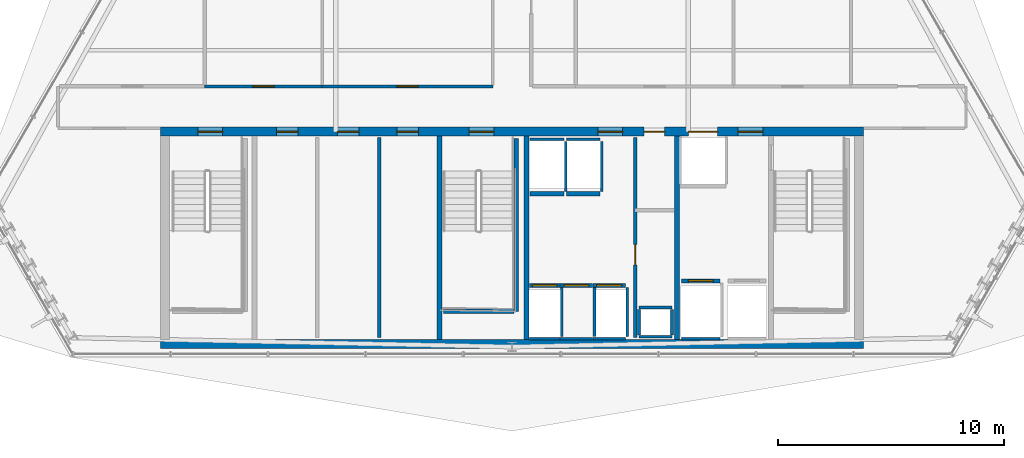
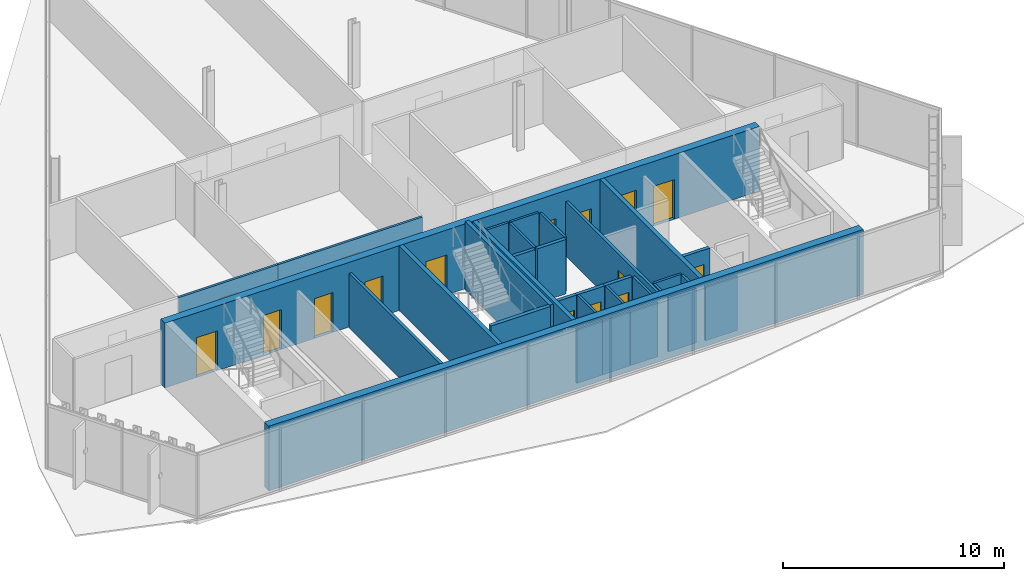
# One storey, part 29 of 37: 32 walls, 16 doors, 16 openings.
"""IFC4 building model written with IfcOpenShell, lengths in metres."""

from ifc_helpers import new_model, si_unit, direction, frame, frame_2d, origin, place, context, subcontext, project, spatial, rectangle, extrude, material, layer, layer_set, type_object, element, fill, save


model = new_model("IFC4")

# Units and contexts
model_context = context("Model", 3, precision=1e-05, world=origin(), true_north=direction((0.0, 1.0)))
body_context = subcontext(model_context, "Body", "Model", "MODEL_VIEW")
ifc_project = project(units=[si_unit("LENGTHUNIT", "METRE"), si_unit("AREAUNIT", "SQUARE_METRE"), si_unit("VOLUMEUNIT", "CUBIC_METRE"), si_unit("PLANEANGLEUNIT", "RADIAN"), si_unit("MASSUNIT", "GRAM", prefix="KILO")], contexts=[model_context])

# Site, building, storey
site_placement = place(None, origin())
site = spatial("IfcSite", under=ifc_project, at=site_placement, CompositionType="ELEMENT")
building_placement = place(site_placement, origin())
building = spatial("IfcBuilding", under=site, at=building_placement, Name="Ndaravel Arena Tower", CompositionType="ELEMENT")
storey_placement = place(building_placement, frame((0.0, 0.0, 218.0)))
storey = spatial("IfcBuildingStorey", under=building, at=storey_placement, Name="L52", CompositionType="ELEMENT", Elevation=218.0)

# Wall, opening, door
ifc_material_1 = material(Name="Gypsum", Category="gypsum")
ifc_layer_1 = layer(ifc_material_1, 0.14990234375)
ifc_layer_set_1 = layer_set([ifc_layer_1], Name="Gypsum")
wall_type_1 = type_object("IfcWallType", Name="WALL-COMP-150", PredefinedType="PARTITIONING", material=ifc_layer_set_1)
wall_1_placement = place(storey_placement, frame((47.449951171875, 5.89990234375, 0.0), z_axis=(0.0, 0.0, 1.0), x_axis=(0.0, 1.0, 0.0)))
wall_1 = element("IfcWall", 1, at=wall_1_placement, inside=storey, type_object=wall_type_1, Name="L52 Core Riser Bay Partition", PredefinedType="PARTITIONING", context=body_context, shape_type="SweptSolid", body=[
    extrude(rectangle(XDim=8.85009765625, YDim=0.14990234375, at=frame_2d((4.425048828125, 0.0))), origin(), (0.0, 0.0, 1.0), 3.010498046875),
])
opening_1_placement = place(wall_1_placement, frame((3.199951171875, 0.0, 0.0)))
opening_1 = element("IfcOpeningElement", 2, at=opening_1_placement, cuts=wall_1, Name="Opening RD-01", PredefinedType="OPENING", context=body_context, shape_type="SweptSolid", body=[
    extrude(rectangle(XDim=0.89990234375, YDim=2.10009765625, at=frame_2d((0.449951171875, 1.050048828125))), frame((0.0, 0.074951171875, 0.0), z_axis=(0.0, -1.0, 0.0), x_axis=(1.0, 0.0, 0.0)), (0.0, 0.0, 1.0), 0.14990234375),
])
ifc_material_2 = material(Name="Steel S355", Category="steel")
door_type_1 = type_object("IfcDoorType", Name="DT-08-RISER-900", OperationType="SINGLE_SWING_LEFT", PredefinedType="DOOR", material=ifc_material_2)
door_1_placement = place(opening_1_placement, origin())
door_1 = element("IfcDoor", 3, at=door_1_placement, inside=storey, type_object=door_type_1, Name="L52 Sub-Metering Closet Door", OperationType="SINGLE_SWING_LEFT", OverallHeight=2.10009765625, OverallWidth=0.89990234375, PredefinedType="DOOR", context=body_context, shape_type="SweptSolid", body=[
    extrude(rectangle(XDim=0.89990234375, YDim=2.10009765625, at=frame_2d((0.449951171875, 1.050048828125))), frame((0.0, 0.02490234375, 0.0), z_axis=(0.0, -1.0, 0.0), x_axis=(1.0, 0.0, 0.0)), (0.0, 0.0, 1.0), 0.050048828125),
])
fill(opening_1, door_1)

# Walls
wall_2_placement = place(storey_placement, frame((36.1201171875, 5.89990234375, 0.0), z_axis=(0.0, 0.0, 1.0), x_axis=(0.0, 1.0, 0.0)))
element("IfcWall", 4, at=wall_2_placement, inside=storey, type_object=wall_type_1, Name="L52 High-Zone Core Divider 2", PredefinedType="PARTITIONING", context=body_context, shape_type="SweptSolid", body=[
    extrude(rectangle(XDim=8.85009765625, YDim=0.14990234375, at=frame_2d((4.425048828125, 0.0))), origin(), (0.0, 0.0, 1.0), 3.010498046875),
])
ifc_material_3 = material(Name="Concrete C50/60", Category="concrete")
ifc_layer_2 = layer(ifc_material_3, 0.219970703125)
ifc_layer_set_2 = layer_set([ifc_layer_2], Name="Concrete C50/60")
wall_type_2 = type_object("IfcWallType", Name="WALL-CORE-220", PredefinedType="SOLIDWALL", material=ifc_layer_set_2)
for number, where, z_axis, x_axis, name in (
    (5, (38.800048828125, 5.800048828125, 0.0), (0.0, 0.0, 1.0), (0.0, 1.0, 0.0), "L52 Core Web Shear Wall 2"),
    (6, (42.64990234375, 5.800048828125, 0.0), (0.0, 0.0, 1.0), (0.0, 1.0, 0.0), "L52 Core Web Shear Wall 3"),
    (7, (49.300048828125, 5.800048828125, 0.0), (0.0, 0.0, 1.0), (0.0, 1.0, 0.0), "L52 Core Web Shear Wall 4"),
):
    element("IfcWall", number, at=place(storey_placement, frame(where, z_axis=z_axis, x_axis=x_axis)), inside=storey, type_object=wall_type_2, Name=name, PredefinedType="SOLIDWALL", context=body_context, shape_type="SweptSolid", body=[
        extrude(rectangle(XDim=9.0, YDim=0.219970703125, at=frame_2d((4.5, 0.0))), origin(), (0.0, 0.0, 1.0), 3.580078125),
    ])

# Wall, openings, doors
ifc_material_4 = material(Name="Concrete C50/60", Category="concrete")
ifc_layer_3 = layer(ifc_material_4, 0.39990234375)
ifc_layer_set_3 = layer_set([ifc_layer_3], Name="Concrete C50/60")
wall_type_3 = type_object("IfcWallType", Name="WALL-CORE-400", PredefinedType="SOLIDWALL", material=ifc_layer_set_3)
wall_3_placement = place(storey_placement, frame((26.449951171875, 15.0, 0.0), z_axis=(0.0, 0.0, 1.0), x_axis=(1.0, 0.0, 0.0)))
wall_3 = element("IfcWall", 8, at=wall_3_placement, inside=storey, type_object=wall_type_3, Name="L52 Core North Shear Wall", PredefinedType="SOLIDWALL", context=body_context, shape_type="SweptSolid", body=[
    extrude(rectangle(XDim=31.10009765625, YDim=0.39990234375, at=frame_2d((15.550048828125, 0.0))), origin(), (0.0, 0.0, 1.0), 3.580078125),
])
opening_2_placement = place(wall_3_placement, frame((1.64990234375, 0.0, 0.0)))
opening_2 = element("IfcOpeningElement", 9, at=opening_2_placement, cuts=wall_3, Name="Opening FD-01", PredefinedType="OPENING", context=body_context, shape_type="SweptSolid", body=[
    extrude(rectangle(XDim=1.10009765625, YDim=2.199951171875, at=frame_2d((0.550048828125, 1.10009765625))), frame((0.0, 0.199951171875, 0.0), z_axis=(0.0, -1.0, 0.0), x_axis=(1.0, 0.0, 0.0)), (0.0, 0.0, 1.0), 0.39990234375),
])
opening_3_placement = place(wall_3_placement, frame((13.64990234375, 0.0, 0.0)))
opening_3 = element("IfcOpeningElement", 10, at=opening_3_placement, cuts=wall_3, Name="Opening FD-01", PredefinedType="OPENING", context=body_context, shape_type="SweptSolid", body=[
    extrude(rectangle(XDim=1.10009765625, YDim=2.199951171875, at=frame_2d((0.550048828125, 1.10009765625))), frame((0.0, 0.199951171875, 0.0), z_axis=(0.0, -1.0, 0.0), x_axis=(1.0, 0.0, 0.0)), (0.0, 0.0, 1.0), 0.39990234375),
])
opening_4_placement = place(wall_3_placement, frame((25.550048828125, 0.0, 0.0)))
opening_4 = element("IfcOpeningElement", 11, at=opening_4_placement, cuts=wall_3, Name="Opening FD-01", PredefinedType="OPENING", context=body_context, shape_type="SweptSolid", body=[
    extrude(rectangle(XDim=1.10009765625, YDim=2.199951171875, at=frame_2d((0.550048828125, 1.10009765625))), frame((0.0, 0.199951171875, 0.0), z_axis=(0.0, -1.0, 0.0), x_axis=(1.0, 0.0, 0.0)), (0.0, 0.0, 1.0), 0.39990234375),
])
opening_5_placement = place(wall_3_placement, frame((19.35009765625, 0.0, 0.0)))
opening_5 = element("IfcOpeningElement", 12, at=opening_5_placement, cuts=wall_3, Name="Opening FD-01", PredefinedType="OPENING", context=body_context, shape_type="SweptSolid", body=[
    extrude(rectangle(XDim=1.10009765625, YDim=2.199951171875, at=frame_2d((0.550048828125, 1.10009765625))), frame((0.0, 0.199951171875, 0.0), z_axis=(0.0, -1.0, 0.0), x_axis=(1.0, 0.0, 0.0)), (0.0, 0.0, 1.0), 0.39990234375),
])
opening_6_placement = place(wall_3_placement, frame((21.39990234375, 0.0, 0.0)))
opening_6 = element("IfcOpeningElement", 13, at=opening_6_placement, cuts=wall_3, Name="Opening RD-01", PredefinedType="OPENING", context=body_context, shape_type="SweptSolid", body=[
    extrude(rectangle(XDim=0.89990234375, YDim=2.10009765625, at=frame_2d((0.449951171875, 1.050048828125))), frame((0.0, 0.199951171875, 0.0), z_axis=(0.0, -1.0, 0.0), x_axis=(1.0, 0.0, 0.0)), (0.0, 0.0, 1.0), 0.39990234375),
])
opening_7_placement = place(wall_3_placement, frame((5.139892578125, 0.0, 0.0)))
opening_7 = element("IfcOpeningElement", 14, at=opening_7_placement, cuts=wall_3, Name="Opening FD-03", PredefinedType="OPENING", context=body_context, shape_type="SweptSolid", body=[
    extrude(rectangle(XDim=0.949951171875, YDim=2.199951171875, at=frame_2d((0.47509765625, 1.10009765625))), frame((0.0, 0.199951171875, 0.0), z_axis=(0.0, -1.0, 0.0), x_axis=(1.0, 0.0, 0.0)), (0.0, 0.0, 1.0), 0.39990234375),
])
opening_8_placement = place(wall_3_placement, frame((7.824951171875, 0.0, 0.0)))
opening_8 = element("IfcOpeningElement", 15, at=opening_8_placement, cuts=wall_3, Name="Opening FD-03", PredefinedType="OPENING", context=body_context, shape_type="SweptSolid", body=[
    extrude(rectangle(XDim=0.949951171875, YDim=2.199951171875, at=frame_2d((0.47509765625, 1.10009765625))), frame((0.0, 0.199951171875, 0.0), z_axis=(0.0, -1.0, 0.0), x_axis=(1.0, 0.0, 0.0)), (0.0, 0.0, 1.0), 0.39990234375),
])
opening_9_placement = place(wall_3_placement, frame((10.4599609375, 0.0, 0.0)))
opening_9 = element("IfcOpeningElement", 16, at=opening_9_placement, cuts=wall_3, Name="Opening FD-03", PredefinedType="OPENING", context=body_context, shape_type="SweptSolid", body=[
    extrude(rectangle(XDim=0.949951171875, YDim=2.199951171875, at=frame_2d((0.47509765625, 1.10009765625))), frame((0.0, 0.199951171875, 0.0), z_axis=(0.0, -1.0, 0.0), x_axis=(1.0, 0.0, 0.0)), (0.0, 0.0, 1.0), 0.39990234375),
])
opening_10_placement = place(wall_3_placement, frame((23.35009765625, 0.0, 0.0)))
opening_10 = element("IfcOpeningElement", 17, at=opening_10_placement, cuts=wall_3, Name="Opening LD-02", PredefinedType="OPENING", context=body_context, shape_type="SweptSolid", body=[
    extrude(rectangle(XDim=1.300048828125, YDim=2.300048828125, at=frame_2d((0.64990234375, 1.14990234375))), frame((0.0, 0.199951171875, 0.0), z_axis=(0.0, -1.0, 0.0), x_axis=(1.0, 0.0, 0.0)), (0.0, 0.0, 1.0), 0.39990234375),
])
ifc_material_5 = material(Name="Steel S355", Category="steel")
door_type_2 = type_object("IfcDoorType", Name="DT-01-STAIR-1100", OperationType="SINGLE_SWING_LEFT", PredefinedType="DOOR", material=ifc_material_5)
door_2_placement = place(opening_2_placement, origin())
door_2 = element("IfcDoor", 18, at=door_2_placement, inside=storey, type_object=door_type_2, Name="L52 Exit Stair ST-1 Door", OperationType="SINGLE_SWING_LEFT", OverallHeight=2.199951171875, OverallWidth=1.10009765625, PredefinedType="DOOR", context=body_context, shape_type="SweptSolid", body=[
    extrude(rectangle(XDim=1.10009765625, YDim=2.199951171875, at=frame_2d((0.550048828125, 1.10009765625))), frame((0.0, 0.02490234375, 0.0), z_axis=(0.0, -1.0, 0.0), x_axis=(1.0, 0.0, 0.0)), (0.0, 0.0, 1.0), 0.050048828125),
])
fill(opening_2, door_2)
door_3_placement = place(opening_3_placement, origin())
door_3 = element("IfcDoor", 19, at=door_3_placement, inside=storey, type_object=door_type_2, Name="L52 Exit Stair ST-2 Door", OperationType="SINGLE_SWING_RIGHT", OverallHeight=2.199951171875, OverallWidth=1.10009765625, PredefinedType="DOOR", context=body_context, shape_type="SweptSolid", body=[
    extrude(rectangle(XDim=1.10009765625, YDim=2.199951171875, at=frame_2d((0.550048828125, 1.10009765625))), frame((0.0, 0.02490234375, 0.0), z_axis=(0.0, -1.0, 0.0), x_axis=(1.0, 0.0, 0.0)), (0.0, 0.0, 1.0), 0.050048828125),
])
fill(opening_3, door_3)
door_4_placement = place(opening_4_placement, origin())
door_4 = element("IfcDoor", 20, at=door_4_placement, inside=storey, type_object=door_type_2, Name="L52 Firefighting Lift Lobby Door", OperationType="SINGLE_SWING_RIGHT", OverallHeight=2.199951171875, OverallWidth=1.10009765625, PredefinedType="DOOR", context=body_context, shape_type="SweptSolid", body=[
    extrude(rectangle(XDim=1.10009765625, YDim=2.199951171875, at=frame_2d((0.550048828125, 1.10009765625))), frame((0.0, 0.02490234375, 0.0), z_axis=(0.0, -1.0, 0.0), x_axis=(1.0, 0.0, 0.0)), (0.0, 0.0, 1.0), 0.050048828125),
])
fill(opening_4, door_4)
door_5_placement = place(opening_5_placement, origin())
door_5 = element("IfcDoor", 21, at=door_5_placement, inside=storey, type_object=door_type_2, Name="L52 Express Lift Lobby Entry Door", OperationType="SINGLE_SWING_LEFT", OverallHeight=2.199951171875, OverallWidth=1.10009765625, PredefinedType="DOOR", context=body_context, shape_type="SweptSolid", body=[
    extrude(rectangle(XDim=1.10009765625, YDim=2.199951171875, at=frame_2d((0.550048828125, 1.10009765625))), frame((0.0, 0.02490234375, 0.0), z_axis=(0.0, -1.0, 0.0), x_axis=(1.0, 0.0, 0.0)), (0.0, 0.0, 1.0), 0.050048828125),
])
fill(opening_5, door_5)
ifc_material_6 = material(Name="Steel S355", Category="steel")
door_type_3 = type_object("IfcDoorType", Name="DT-07-SVLIFT-1300", OperationType="DOUBLE_DOOR_SLIDING", PredefinedType="DOOR", material=ifc_material_6)
door_6_placement = place(opening_10_placement, origin())
door_6 = element("IfcDoor", 22, at=door_6_placement, inside=storey, type_object=door_type_3, Name="L52 Lift SVL-1 Sliding Landing Door", OperationType="DOUBLE_DOOR_SLIDING", OverallHeight=2.300048828125, OverallWidth=1.300048828125, PredefinedType="DOOR", context=body_context, shape_type="SweptSolid", body=[
    extrude(rectangle(XDim=1.300048828125, YDim=2.300048828125, at=frame_2d((0.64990234375, 1.14990234375))), frame((0.0, 0.02490234375, 0.0), z_axis=(0.0, -1.0, 0.0), x_axis=(1.0, 0.0, 0.0)), (0.0, 0.0, 1.0), 0.050048828125),
])
fill(opening_10, door_6)
door_7_placement = place(opening_6_placement, origin())
door_7 = element("IfcDoor", 23, at=door_7_placement, inside=storey, type_object=door_type_1, Name="L52 Core Service Riser North Door", OperationType="SINGLE_SWING_LEFT", OverallHeight=2.10009765625, OverallWidth=0.89990234375, PredefinedType="DOOR", context=body_context, shape_type="SweptSolid", body=[
    extrude(rectangle(XDim=0.89990234375, YDim=2.10009765625, at=frame_2d((0.449951171875, 1.050048828125))), frame((0.0, 0.02490234375, 0.0), z_axis=(0.0, -1.0, 0.0), x_axis=(1.0, 0.0, 0.0)), (0.0, 0.0, 1.0), 0.050048828125),
])
fill(opening_6, door_7)
ifc_material_7 = material(Name="Steel S355", Category="steel")
door_type_4 = type_object("IfcDoorType", Name="DT-11-CORE-950", OperationType="SINGLE_SWING_LEFT", PredefinedType="DOOR", material=ifc_material_7)
door_8_placement = place(opening_7_placement, origin())
door_8 = element("IfcDoor", 24, at=door_8_placement, inside=storey, type_object=door_type_4, Name="L52 High-Zone Reclaimed Core Room 1 Door", OperationType="SINGLE_SWING_LEFT", OverallHeight=2.199951171875, OverallWidth=0.949951171875, PredefinedType="DOOR", context=body_context, shape_type="SweptSolid", body=[
    extrude(rectangle(XDim=0.949951171875, YDim=2.199951171875, at=frame_2d((0.47509765625, 1.10009765625))), frame((0.0, 0.02490234375, 0.0), z_axis=(0.0, -1.0, 0.0), x_axis=(1.0, 0.0, 0.0)), (0.0, 0.0, 1.0), 0.050048828125),
])
fill(opening_7, door_8)
door_9_placement = place(opening_8_placement, origin())
door_9 = element("IfcDoor", 25, at=door_9_placement, inside=storey, type_object=door_type_4, Name="L52 High-Zone Reclaimed Core Room 2 Door", OperationType="SINGLE_SWING_RIGHT", OverallHeight=2.199951171875, OverallWidth=0.949951171875, PredefinedType="DOOR", context=body_context, shape_type="SweptSolid", body=[
    extrude(rectangle(XDim=0.949951171875, YDim=2.199951171875, at=frame_2d((0.47509765625, 1.10009765625))), frame((0.0, 0.02490234375, 0.0), z_axis=(0.0, -1.0, 0.0), x_axis=(1.0, 0.0, 0.0)), (0.0, 0.0, 1.0), 0.050048828125),
])
fill(opening_8, door_9)
door_10_placement = place(opening_9_placement, origin())
door_10 = element("IfcDoor", 26, at=door_10_placement, inside=storey, type_object=door_type_4, Name="L52 High-Zone Reclaimed Core Room 3 Door", OperationType="SINGLE_SWING_LEFT", OverallHeight=2.199951171875, OverallWidth=0.949951171875, PredefinedType="DOOR", context=body_context, shape_type="SweptSolid", body=[
    extrude(rectangle(XDim=0.949951171875, YDim=2.199951171875, at=frame_2d((0.47509765625, 1.10009765625))), frame((0.0, 0.02490234375, 0.0), z_axis=(0.0, -1.0, 0.0), x_axis=(1.0, 0.0, 0.0)), (0.0, 0.0, 1.0), 0.050048828125),
])
fill(opening_9, door_10)

# Wall
wall_4_placement = place(storey_placement, frame((26.449951171875, 5.60009765625, 0.0), z_axis=(0.0, 0.0, 1.0), x_axis=(1.0, 0.0, 0.0)))
element("IfcWall", 27, at=wall_4_placement, inside=storey, type_object=wall_type_3, Name="L52 Core South Shear Wall", PredefinedType="SOLIDWALL", context=body_context, shape_type="SweptSolid", body=[
    extrude(rectangle(XDim=31.10009765625, YDim=0.39990234375, at=frame_2d((15.550048828125, 0.0))), origin(), (0.0, 0.0, 1.0), 3.580078125),
])

# Wall, opening, door
ifc_material_8 = material(Name="Gypsum", Category="gypsum")
ifc_layer_4 = layer(ifc_material_8, 0.125)
ifc_layer_set_4 = layer_set([ifc_layer_4], Name="Gypsum")
wall_type_4 = type_object("IfcWallType", Name="WALL-PART-125", PredefinedType="PARTITIONING", material=ifc_layer_set_4)
wall_5_placement = place(storey_placement, frame((28.39990234375, 17.0, 0.0), z_axis=(0.0, 0.0, 1.0), x_axis=(1.0, 0.0, 0.0)))
wall_5 = element("IfcWall", 28, at=wall_5_placement, inside=storey, type_object=wall_type_4, Name="L52 Interior Partition 006", PredefinedType="PARTITIONING", context=body_context, shape_type="SweptSolid", body=[
    extrude(rectangle(XDim=5.2001953125, YDim=0.125, at=frame_2d((2.60009765625, 0.0))), origin(), (0.0, 0.0, 1.0), 3.010498046875),
])
opening_11_placement = place(wall_5_placement, frame((2.125, 0.0, 0.0)))
opening_11 = element("IfcOpeningElement", 29, at=opening_11_placement, cuts=wall_5, Name="Opening ID-01", PredefinedType="OPENING", context=body_context, shape_type="SweptSolid", body=[
    extrude(rectangle(XDim=0.949951171875, YDim=2.199951171875, at=frame_2d((0.47509765625, 1.10009765625))), frame((0.0, 0.0625, 0.0), z_axis=(0.0, -1.0, 0.0), x_axis=(1.0, 0.0, 0.0)), (0.0, 0.0, 1.0), 0.125),
])
ifc_material_9 = material(Name="Timber", Category="wood")
door_type_5 = type_object("IfcDoorType", Name="DT-03-OFFICE-950", OperationType="SINGLE_SWING_LEFT", PredefinedType="DOOR", material=ifc_material_9)
door_11_placement = place(opening_11_placement, origin())
door_11 = element("IfcDoor", 30, at=door_11_placement, inside=storey, type_object=door_type_5, Name="L52 Quiet Study Room 3 Door", OperationType="SINGLE_SWING_RIGHT", OverallHeight=2.199951171875, OverallWidth=0.949951171875, PredefinedType="DOOR", context=body_context, shape_type="SweptSolid", body=[
    extrude(rectangle(XDim=0.949951171875, YDim=2.199951171875, at=frame_2d((0.47509765625, 1.10009765625))), frame((0.0, 0.02490234375, 0.0), z_axis=(0.0, -1.0, 0.0), x_axis=(1.0, 0.0, 0.0)), (0.0, 0.0, 1.0), 0.050048828125),
])
fill(opening_11, door_11)

wall_6_placement = place(storey_placement, frame((33.60009765625, 17.0, 0.0), z_axis=(0.0, 0.0, 1.0), x_axis=(1.0, 0.0, 0.0)))
wall_6 = element("IfcWall", 31, at=wall_6_placement, inside=storey, type_object=wall_type_4, Name="L52 Interior Partition 007", PredefinedType="PARTITIONING", context=body_context, shape_type="SweptSolid", body=[
    extrude(rectangle(XDim=7.5498046875, YDim=0.125, at=frame_2d((3.77490234375, 0.0))), origin(), (0.0, 0.0, 1.0), 3.010498046875),
])
opening_12_placement = place(wall_6_placement, frame((3.300048828125, 0.0, 0.0)))
opening_12 = element("IfcOpeningElement", 32, at=opening_12_placement, cuts=wall_6, Name="Opening ID-01", PredefinedType="OPENING", context=body_context, shape_type="SweptSolid", body=[
    extrude(rectangle(XDim=0.949951171875, YDim=2.199951171875, at=frame_2d((0.47509765625, 1.10009765625))), frame((0.0, 0.0625, 0.0), z_axis=(0.0, -1.0, 0.0), x_axis=(1.0, 0.0, 0.0)), (0.0, 0.0, 1.0), 0.125),
])
door_12_placement = place(opening_12_placement, origin())
door_12 = element("IfcDoor", 33, at=door_12_placement, inside=storey, type_object=door_type_5, Name="L52 Staff Wellness Clinic Door", OperationType="SINGLE_SWING_LEFT", OverallHeight=2.199951171875, OverallWidth=0.949951171875, PredefinedType="DOOR", context=body_context, shape_type="SweptSolid", body=[
    extrude(rectangle(XDim=0.949951171875, YDim=2.199951171875, at=frame_2d((0.47509765625, 1.10009765625))), frame((0.0, 0.02490234375, 0.0), z_axis=(0.0, -1.0, 0.0), x_axis=(1.0, 0.0, 0.0)), (0.0, 0.0, 1.0), 0.050048828125),
])
fill(opening_12, door_12)

# Walls
ifc_material_10 = material(Name="Concrete C40/50", Category="concrete")
ifc_layer_5 = layer(ifc_material_10, 0.1201171875)
ifc_layer_set_5 = layer_set([ifc_layer_5], Name="Concrete C40/50")
wall_type_5 = type_object("IfcWallType", Name="WALL-SHAFT-120", PredefinedType="SOLIDWALL", material=ifc_layer_set_5)
for number, where, z_axis, x_axis, name in (
    (34, (47.6201171875, 5.919921875, 0.0), (0.0, 0.0, 1.0), (1.0, 0.0, 0.0), "L52 MEP Riser Shaft S Wall"),
    (35, (47.6201171875, 7.219970703125, 0.0), (0.0, 0.0, 1.0), (1.0, 0.0, 0.0), "L52 MEP Riser Shaft N Wall"),
):
    element("IfcWall", number, at=place(storey_placement, frame(where, z_axis=z_axis, x_axis=x_axis)), inside=storey, type_object=wall_type_5, Name=name, PredefinedType="SOLIDWALL", context=body_context, shape_type="SweptSolid", body=[
        extrude(rectangle(XDim=1.4599609375, YDim=0.1201171875, at=frame_2d((0.72998046875, 0.0))), origin(), (0.0, 0.0, 1.0), 3.010498046875),
    ])
for number, where, z_axis, x_axis, name in (
    (36, (47.6201171875, 6.0, 0.0), (0.0, 0.0, 1.0), (0.0, 1.0, 0.0), "L52 MEP Riser Shaft W Wall"),
    (37, (49.080078125, 6.0, 0.0), (0.0, 0.0, 1.0), (0.0, 1.0, 0.0), "L52 MEP Riser Shaft E Wall"),
):
    element("IfcWall", number, at=place(storey_placement, frame(where, z_axis=z_axis, x_axis=x_axis)), inside=storey, type_object=wall_type_5, Name=name, PredefinedType="SOLIDWALL", context=body_context, shape_type="SweptSolid", body=[
        extrude(rectangle(XDim=1.139892578125, YDim=0.1201171875, at=frame_2d((0.56982421875, 0.0))), origin(), (0.0, 0.0, 1.0), 3.010498046875),
    ])
wall_7_placement = place(storey_placement, frame((42.780029296875, 5.840087890625, 0.0), z_axis=(0.0, 0.0, 1.0), x_axis=(1.0, 0.0, 0.0)))
element("IfcWall", 38, at=wall_7_placement, inside=storey, type_object=wall_type_5, Name="L52 PL-H1 Shaft Rear Wall", PredefinedType="SOLIDWALL", context=body_context, shape_type="SweptSolid", body=[
    extrude(rectangle(XDim=1.340087890625, YDim=0.1201171875, at=frame_2d((0.669921875, 0.0))), origin(), (0.0, 0.0, 1.0), 3.010498046875),
])
wall_8_placement = place(storey_placement, frame((44.199951171875, 5.929931640625, 0.0), z_axis=(0.0, 0.0, 1.0), x_axis=(0.0, 1.0, 0.0)))
element("IfcWall", 39, at=wall_8_placement, inside=storey, type_object=wall_type_5, Name="L52 PL-H1 Shaft Side R Wall", PredefinedType="SOLIDWALL", context=body_context, shape_type="SweptSolid", body=[
    extrude(rectangle(XDim=2.18017578125, YDim=0.1201171875, at=frame_2d((1.090087890625, 0.0))), origin(), (0.0, 0.0, 1.0), 3.010498046875),
])
wall_9_placement = place(storey_placement, frame((44.1298828125, 5.840087890625, 0.0), z_axis=(0.0, 0.0, 1.0), x_axis=(1.0, 0.0, 0.0)))
element("IfcWall", 40, at=wall_9_placement, inside=storey, type_object=wall_type_5, Name="L52 PL-H2 Shaft Rear Wall", PredefinedType="SOLIDWALL", context=body_context, shape_type="SweptSolid", body=[
    extrude(rectangle(XDim=1.440185546875, YDim=0.1201171875, at=frame_2d((0.72021484375, 0.0))), origin(), (0.0, 0.0, 1.0), 3.010498046875),
])
wall_10_placement = place(storey_placement, frame((45.64990234375, 5.929931640625, 0.0), z_axis=(0.0, 0.0, 1.0), x_axis=(0.0, 1.0, 0.0)))
element("IfcWall", 41, at=wall_10_placement, inside=storey, type_object=wall_type_5, Name="L52 PL-H2 Shaft Side R Wall", PredefinedType="SOLIDWALL", context=body_context, shape_type="SweptSolid", body=[
    extrude(rectangle(XDim=2.18017578125, YDim=0.1201171875, at=frame_2d((1.090087890625, 0.0))), origin(), (0.0, 0.0, 1.0), 3.010498046875),
])
wall_11_placement = place(storey_placement, frame((45.580078125, 5.840087890625, 0.0), z_axis=(0.0, 0.0, 1.0), x_axis=(1.0, 0.0, 0.0)))
element("IfcWall", 42, at=wall_11_placement, inside=storey, type_object=wall_type_5, Name="L52 PL-H3 Shaft Rear Wall", PredefinedType="SOLIDWALL", context=body_context, shape_type="SweptSolid", body=[
    extrude(rectangle(XDim=1.43994140625, YDim=0.1201171875, at=frame_2d((0.719970703125, 0.0))), origin(), (0.0, 0.0, 1.0), 3.010498046875),
])
wall_12_placement = place(storey_placement, frame((47.10009765625, 5.929931640625, 0.0), z_axis=(0.0, 0.0, 1.0), x_axis=(0.0, 1.0, 0.0)))
element("IfcWall", 43, at=wall_12_placement, inside=storey, type_object=wall_type_5, Name="L52 PL-H3 Shaft Side R Wall", PredefinedType="SOLIDWALL", context=body_context, shape_type="SweptSolid", body=[
    extrude(rectangle(XDim=2.18017578125, YDim=0.1201171875, at=frame_2d((1.090087890625, 0.0))), origin(), (0.0, 0.0, 1.0), 3.010498046875),
])
wall_13_placement = place(storey_placement, frame((42.804931640625, 14.659912109375, 0.0), z_axis=(0.0, 0.0, 1.0), x_axis=(1.0, 0.0, 0.0)))
element("IfcWall", 44, at=wall_13_placement, inside=storey, type_object=wall_type_5, Name="L52 PL-OBS1 Shaft Rear Wall", PredefinedType="SOLIDWALL", context=body_context, shape_type="SweptSolid", body=[
    extrude(rectangle(XDim=1.489990234375, YDim=0.1201171875, at=frame_2d((0.7451171875, 0.0))), origin(), (0.0, 0.0, 1.0), 3.010498046875),
])
wall_14_placement = place(storey_placement, frame((44.375, 12.340087890625, 0.0), z_axis=(0.0, 0.0, 1.0), x_axis=(0.0, 1.0, 0.0)))
element("IfcWall", 45, at=wall_14_placement, inside=storey, type_object=wall_type_5, Name="L52 PL-OBS1 Shaft Side R Wall", PredefinedType="SOLIDWALL", context=body_context, shape_type="SweptSolid", body=[
    extrude(rectangle(XDim=2.22998046875, YDim=0.1201171875, at=frame_2d((1.114990234375, 0.0))), origin(), (0.0, 0.0, 1.0), 3.010498046875),
])
wall_15_placement = place(storey_placement, frame((44.405029296875, 14.659912109375, 0.0), z_axis=(0.0, 0.0, 1.0), x_axis=(1.0, 0.0, 0.0)))
element("IfcWall", 46, at=wall_15_placement, inside=storey, type_object=wall_type_5, Name="L52 PL-OBS2 Shaft Rear Wall", PredefinedType="SOLIDWALL", context=body_context, shape_type="SweptSolid", body=[
    extrude(rectangle(XDim=1.489990234375, YDim=0.1201171875, at=frame_2d((0.7451171875, 0.0))), origin(), (0.0, 0.0, 1.0), 3.010498046875),
])
wall_16_placement = place(storey_placement, frame((45.97509765625, 12.340087890625, 0.0), z_axis=(0.0, 0.0, 1.0), x_axis=(0.0, 1.0, 0.0)))
element("IfcWall", 47, at=wall_16_placement, inside=storey, type_object=wall_type_5, Name="L52 PL-OBS2 Shaft Side R Wall", PredefinedType="SOLIDWALL", context=body_context, shape_type="SweptSolid", body=[
    extrude(rectangle(XDim=2.22998046875, YDim=0.1201171875, at=frame_2d((1.114990234375, 0.0))), origin(), (0.0, 0.0, 1.0), 3.010498046875),
])
wall_17_placement = place(storey_placement, frame((49.5048828125, 5.840087890625, 0.0), z_axis=(0.0, 0.0, 1.0), x_axis=(1.0, 0.0, 0.0)))
element("IfcWall", 48, at=wall_17_placement, inside=storey, type_object=wall_type_5, Name="L52 FFL-1 Shaft Rear Wall", PredefinedType="SOLIDWALL", context=body_context, shape_type="SweptSolid", body=[
    extrude(rectangle(XDim=1.690185546875, YDim=0.1201171875, at=frame_2d((0.84521484375, 0.0))), origin(), (0.0, 0.0, 1.0), 3.010498046875),
])
ifc_material_11 = material(Name="Concrete C40/50", Category="concrete")
ifc_layer_6 = layer(ifc_material_11, 0.199951171875)
ifc_layer_set_6 = layer_set([ifc_layer_6], Name="Concrete C40/50")
wall_type_6 = type_object("IfcWallType", Name="WALL-SHAFT-200", PredefinedType="SOLIDWALL", material=ifc_layer_set_6)
wall_18_placement = place(storey_placement, frame((42.18994140625, 14.699951171875, 0.0), z_axis=(0.0, 0.0, 1.0), x_axis=(0.0, -1.0, 0.0)))
element("IfcWall", 49, at=wall_18_placement, inside=storey, type_object=wall_type_6, Name="L52 ST-2 Structural Shaft Wall Right", PredefinedType="SOLIDWALL", context=body_context, shape_type="SweptSolid", body=[
    extrude(rectangle(XDim=7.64990234375, YDim=0.199951171875, at=frame_2d((3.824951171875, 0.0))), origin(), (0.0, 0.0, 1.0), 3.800048828125),
])
wall_19_placement = place(storey_placement, frame((38.969970703125, 7.050048828125, 0.0), z_axis=(0.0, 0.0, 1.0), x_axis=(1.0, 0.0, 0.0)))
element("IfcWall", 50, at=wall_19_placement, inside=storey, type_object=wall_type_6, Name="L52 ST-2 Structural Shaft Wall Far", PredefinedType="SOLIDWALL", context=body_context, shape_type="SweptSolid", body=[
    extrude(rectangle(XDim=3.114990234375, YDim=0.199951171875, at=frame_2d((1.5576171875, 0.0))), origin(), (0.0, 0.0, 1.0), 3.800048828125),
])

# Wall, opening, door
wall_20_placement = place(storey_placement, frame((42.780029296875, 8.199951171875, 0.0), z_axis=(0.0, 0.0, 1.0), x_axis=(1.0, 0.0, 0.0)))
wall_20 = element("IfcWall", 51, at=wall_20_placement, inside=storey, type_object=wall_type_6, Name="L52 PL-H1 Shaft Landing Wall", PredefinedType="SOLIDWALL", context=body_context, shape_type="SweptSolid", body=[
    extrude(rectangle(XDim=1.340087890625, YDim=0.179931640625, at=frame_2d((0.669921875, 0.0))), origin(), (0.0, 0.0, 1.0), 3.010498046875),
])
opening_13_placement = place(wall_20_placement, frame((0.1201171875, 0.0, 0.0)))
opening_13 = element("IfcOpeningElement", 52, at=opening_13_placement, cuts=wall_20, Name="Opening LD-01", PredefinedType="OPENING", context=body_context, shape_type="SweptSolid", body=[
    extrude(rectangle(XDim=1.10009765625, YDim=2.199951171875, at=frame_2d((0.550048828125, 1.10009765625))), frame((0.0, 0.08984375, 0.0), z_axis=(0.0, -1.0, 0.0), x_axis=(1.0, 0.0, 0.0)), (0.0, 0.0, 1.0), 0.179931640625),
])
ifc_material_12 = material(Name="Steel S355", Category="steel")
door_type_6 = type_object("IfcDoorType", Name="DT-06-LIFT-1100", OperationType="SLIDING_TO_LEFT", PredefinedType="DOOR", material=ifc_material_12)
door_13_placement = place(opening_13_placement, origin())
door_13 = element("IfcDoor", 53, at=door_13_placement, inside=storey, type_object=door_type_6, Name="L52 Lift PL-H1 Sliding Landing Door", OperationType="SLIDING_TO_LEFT", OverallHeight=2.199951171875, OverallWidth=1.10009765625, PredefinedType="DOOR", context=body_context, shape_type="SweptSolid", body=[
    extrude(rectangle(XDim=1.10009765625, YDim=2.199951171875, at=frame_2d((0.550048828125, 1.10009765625))), frame((0.0, 0.02490234375, 0.0), z_axis=(0.0, -1.0, 0.0), x_axis=(1.0, 0.0, 0.0)), (0.0, 0.0, 1.0), 0.050048828125),
])
fill(opening_13, door_13)

wall_21_placement = place(storey_placement, frame((44.1298828125, 8.199951171875, 0.0), z_axis=(0.0, 0.0, 1.0), x_axis=(1.0, 0.0, 0.0)))
wall_21 = element("IfcWall", 54, at=wall_21_placement, inside=storey, type_object=wall_type_6, Name="L52 PL-H2 Shaft Landing Wall", PredefinedType="SOLIDWALL", context=body_context, shape_type="SweptSolid", body=[
    extrude(rectangle(XDim=1.440185546875, YDim=0.179931640625, at=frame_2d((0.72021484375, 0.0))), origin(), (0.0, 0.0, 1.0), 3.010498046875),
])
opening_14_placement = place(wall_21_placement, frame((0.169921875, 0.0, 0.0)))
opening_14 = element("IfcOpeningElement", 55, at=opening_14_placement, cuts=wall_21, Name="Opening LD-01", PredefinedType="OPENING", context=body_context, shape_type="SweptSolid", body=[
    extrude(rectangle(XDim=1.10009765625, YDim=2.199951171875, at=frame_2d((0.550048828125, 1.10009765625))), frame((0.0, 0.08984375, 0.0), z_axis=(0.0, -1.0, 0.0), x_axis=(1.0, 0.0, 0.0)), (0.0, 0.0, 1.0), 0.179931640625),
])
door_14_placement = place(opening_14_placement, origin())
door_14 = element("IfcDoor", 56, at=door_14_placement, inside=storey, type_object=door_type_6, Name="L52 Lift PL-H2 Sliding Landing Door", OperationType="SLIDING_TO_LEFT", OverallHeight=2.199951171875, OverallWidth=1.10009765625, PredefinedType="DOOR", context=body_context, shape_type="SweptSolid", body=[
    extrude(rectangle(XDim=1.10009765625, YDim=2.199951171875, at=frame_2d((0.550048828125, 1.10009765625))), frame((0.0, 0.02490234375, 0.0), z_axis=(0.0, -1.0, 0.0), x_axis=(1.0, 0.0, 0.0)), (0.0, 0.0, 1.0), 0.050048828125),
])
fill(opening_14, door_14)

wall_22_placement = place(storey_placement, frame((45.580078125, 8.199951171875, 0.0), z_axis=(0.0, 0.0, 1.0), x_axis=(1.0, 0.0, 0.0)))
wall_22 = element("IfcWall", 57, at=wall_22_placement, inside=storey, type_object=wall_type_6, Name="L52 PL-H3 Shaft Landing Wall", PredefinedType="SOLIDWALL", context=body_context, shape_type="SweptSolid", body=[
    extrude(rectangle(XDim=1.43994140625, YDim=0.179931640625, at=frame_2d((0.719970703125, 0.0))), origin(), (0.0, 0.0, 1.0), 3.010498046875),
])
opening_15_placement = place(wall_22_placement, frame((0.169921875, 0.0, 0.0)))
opening_15 = element("IfcOpeningElement", 58, at=opening_15_placement, cuts=wall_22, Name="Opening LD-01", PredefinedType="OPENING", context=body_context, shape_type="SweptSolid", body=[
    extrude(rectangle(XDim=1.10009765625, YDim=2.199951171875, at=frame_2d((0.550048828125, 1.10009765625))), frame((0.0, 0.08984375, 0.0), z_axis=(0.0, -1.0, 0.0), x_axis=(1.0, 0.0, 0.0)), (0.0, 0.0, 1.0), 0.179931640625),
])
door_15_placement = place(opening_15_placement, origin())
door_15 = element("IfcDoor", 59, at=door_15_placement, inside=storey, type_object=door_type_6, Name="L52 Lift PL-H3 Sliding Landing Door", OperationType="SLIDING_TO_LEFT", OverallHeight=2.199951171875, OverallWidth=1.10009765625, PredefinedType="DOOR", context=body_context, shape_type="SweptSolid", body=[
    extrude(rectangle(XDim=1.10009765625, YDim=2.199951171875, at=frame_2d((0.550048828125, 1.10009765625))), frame((0.0, 0.02490234375, 0.0), z_axis=(0.0, -1.0, 0.0), x_axis=(1.0, 0.0, 0.0)), (0.0, 0.0, 1.0), 0.050048828125),
])
fill(opening_15, door_15)

# Walls
for number, where, z_axis, x_axis, name in (
    (60, (42.804931640625, 12.25, 0.0), (0.0, 0.0, 1.0), (1.0, 0.0, 0.0), "L52 PL-OBS1 Shaft Landing Wall"),
    (61, (44.405029296875, 12.25, 0.0), (0.0, 0.0, 1.0), (1.0, 0.0, 0.0), "L52 PL-OBS2 Shaft Landing Wall"),
):
    element("IfcWall", number, at=place(storey_placement, frame(where, z_axis=z_axis, x_axis=x_axis)), inside=storey, type_object=wall_type_6, Name=name, PredefinedType="SOLIDWALL", context=body_context, shape_type="SweptSolid", body=[
        extrude(rectangle(XDim=1.489990234375, YDim=0.179931640625, at=frame_2d((0.7451171875, 0.0))), origin(), (0.0, 0.0, 1.0), 3.010498046875),
    ])

# Wall, opening, door
wall_23_placement = place(storey_placement, frame((49.5048828125, 8.39990234375, 0.0), z_axis=(0.0, 0.0, 1.0), x_axis=(1.0, 0.0, 0.0)))
wall_23 = element("IfcWall", 62, at=wall_23_placement, inside=storey, type_object=wall_type_6, Name="L52 FFL-1 Shaft Landing Wall", PredefinedType="SOLIDWALL", context=body_context, shape_type="SweptSolid", body=[
    extrude(rectangle(XDim=1.690185546875, YDim=0.179931640625, at=frame_2d((0.84521484375, 0.0))), origin(), (0.0, 0.0, 1.0), 3.010498046875),
])
opening_16_placement = place(wall_23_placement, frame((0.294921875, 0.0, 0.0)))
opening_16 = element("IfcOpeningElement", 63, at=opening_16_placement, cuts=wall_23, Name="Opening LD-01", PredefinedType="OPENING", context=body_context, shape_type="SweptSolid", body=[
    extrude(rectangle(XDim=1.10009765625, YDim=2.199951171875, at=frame_2d((0.550048828125, 1.10009765625))), frame((0.0, 0.08984375, 0.0), z_axis=(0.0, -1.0, 0.0), x_axis=(1.0, 0.0, 0.0)), (0.0, 0.0, 1.0), 0.179931640625),
])
door_16_placement = place(opening_16_placement, origin())
door_16 = element("IfcDoor", 64, at=door_16_placement, inside=storey, type_object=door_type_6, Name="L52 Lift FFL-1 Sliding Landing Door", OperationType="SLIDING_TO_LEFT", OverallHeight=2.199951171875, OverallWidth=1.10009765625, PredefinedType="DOOR", context=body_context, shape_type="SweptSolid", body=[
    extrude(rectangle(XDim=1.10009765625, YDim=2.199951171875, at=frame_2d((0.550048828125, 1.10009765625))), frame((0.0, 0.02490234375, 0.0), z_axis=(0.0, -1.0, 0.0), x_axis=(1.0, 0.0, 0.0)), (0.0, 0.0, 1.0), 0.050048828125),
])
fill(opening_16, door_16)

save(model, "model.ifc")
